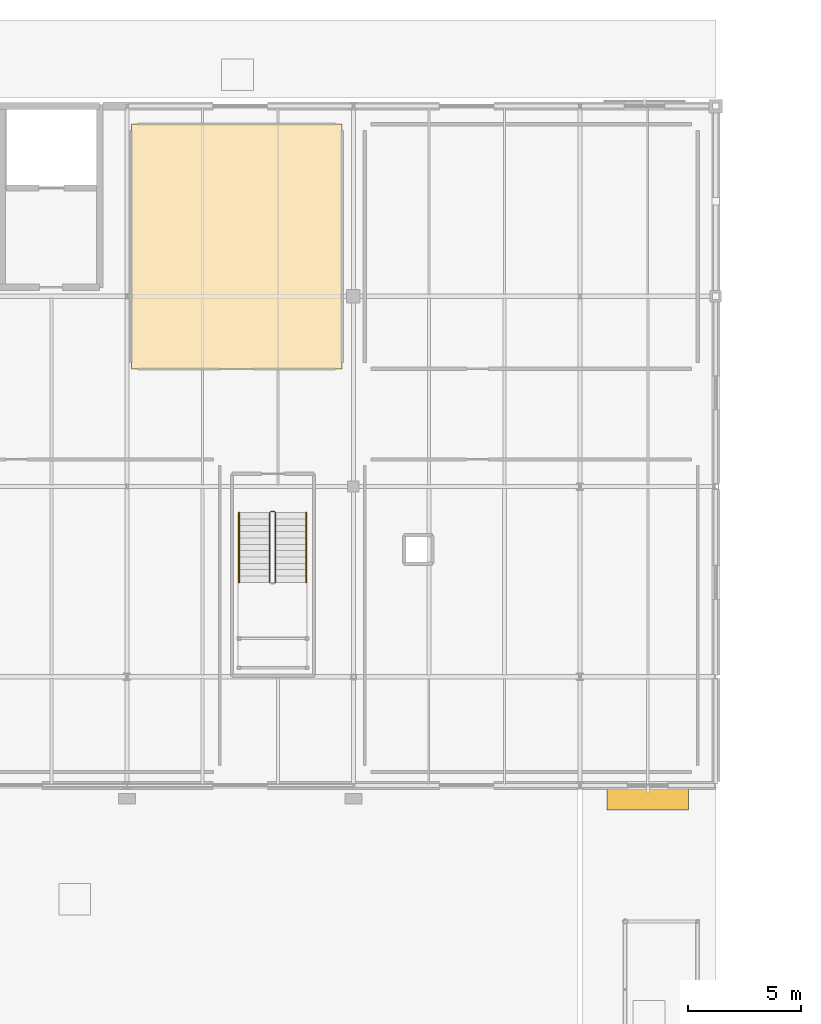
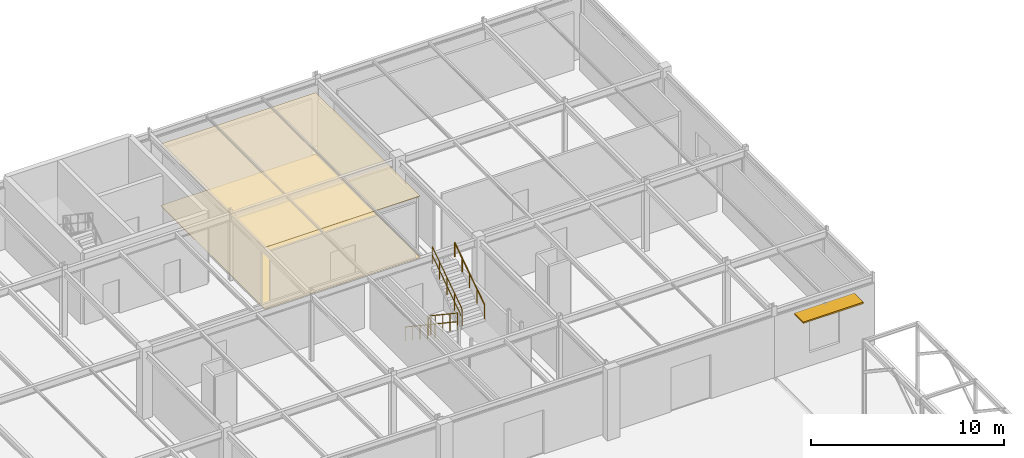
# One storey, part 117 of 119: 5 railings, 2 coverings, 1 shading device.
"""IFC4 building model written with IfcOpenShell, lengths in metres."""

from ifc_helpers import new_model, si_unit, derived_unit, direction, frame, origin, origin_2d_with_axis, place, context, subcontext, project, spatial, polyline, rectangle, circle, outline, extrude, material, layer, layer_set, type_object, element, save


model = new_model("IFC4")

# Units and contexts
model_context = context("Model", 3, precision=1e-05, world=origin(), true_north=direction((0.0, 1.0)))
body_context = subcontext(model_context, "Body", "Model", "MODEL_VIEW")
ifc_project = project(units=[si_unit("LENGTHUNIT", "METRE"), si_unit("AREAUNIT", "SQUARE_METRE"), si_unit("VOLUMEUNIT", "CUBIC_METRE"), si_unit("PLANEANGLEUNIT", "RADIAN"), si_unit("MASSUNIT", "GRAM", prefix="KILO"), derived_unit("THERMALTRANSMITTANCEUNIT", [(si_unit("POWERUNIT", "WATT"), 1), (si_unit("LENGTHUNIT", "METRE"), -2), (si_unit("THERMODYNAMICTEMPERATUREUNIT", "KELVIN"), -1)])], contexts=[model_context])

# Site, building, storey
site_placement = place(None, origin())
site = spatial("IfcSite", under=ifc_project, at=site_placement, CompositionType="ELEMENT")
building_placement = place(site_placement, origin())
building = spatial("IfcBuilding", under=site, at=building_placement, Name="Cinnabar Yard Market Hall", CompositionType="ELEMENT")
storey_placement = place(building_placement, origin())
storey = spatial("IfcBuildingStorey", under=building, at=storey_placement, Name="L00", CompositionType="ELEMENT", Elevation=0.0)

# Coverings
ifc_material_1 = material(Name="Perforated acoustic spotted-gum timber slats", Category="wood")
ifc_layer_1 = layer(ifc_material_1, 0.0400390625)
ifc_layer_set_1 = layer_set([ifc_layer_1], Name="Perforated acoustic spotted-gum timber slats")
covering_type_1 = type_object("IfcCoveringType", Name="COV-CLG1", PredefinedType="CEILING", material=ifc_layer_set_1)
covering_1_placement = place(storey_placement, frame((0.0, 0.0, 3.8798828125)))
element("IfcCovering", 1, at=covering_1_placement, inside=storey, type_object=covering_type_1, Name="Ceiling Market Heritage Community Room 02", PredefinedType="CEILING", context=body_context, shape_type="SweptSolid", body=[
    extrude(outline(polyline([(136.199951171875, 126.39990234375), (145.5, 126.39990234375), (145.5, 137.199951171875), (136.199951171875, 137.199951171875), (136.199951171875, 126.39990234375)])), origin(), (0.0, 0.0, 1.0), 0.03515625),
])
ifc_material_2 = material(Name="Honed Adelaide red terrazzo flooring")
ifc_layer_2 = layer(ifc_material_2, 0.030029296875)
ifc_layer_set_2 = layer_set([ifc_layer_2], Name="Honed Adelaide red terrazzo flooring")
covering_type_2 = type_object("IfcCoveringType", Name="COV-FLR1", PredefinedType="FLOORING", material=ifc_layer_set_2)
covering_2_placement = place(storey_placement, origin())
element("IfcCovering", 2, at=covering_2_placement, inside=storey, type_object=covering_type_2, Name="Flooring Market Heritage Community Room 02", PredefinedType="FLOORING", context=body_context, shape_type="SweptSolid", body=[
    extrude(outline(polyline([(136.199951171875, 126.39990234375), (145.5, 126.39990234375), (145.5, 137.199951171875), (136.199951171875, 137.199951171875), (136.199951171875, 126.39990234375)])), origin(), (0.0, 0.0, 1.0), 0.02490234375),
])

# Railings
ifc_material_3 = material(Name="Laminated glass and bronze handrail", Category="glass")
ifc_layer_3 = layer(ifc_material_3, 0.070068359375)
ifc_layer_set_3 = layer_set([ifc_layer_3], Name="Laminated glass and bronze handrail")
railing_type_1 = type_object("IfcRailingType", Name="RL-G01", PredefinedType="BALUSTRADE", material=ifc_layer_set_3)
railing_1_placement = place(storey_placement, frame((142.300048828125, 120.050048828125, 0.1875)))
element("IfcRailing", 3, at=railing_1_placement, inside=storey, type_object=railing_type_1, Name="L00 ST-F6 stair guard 1", PredefinedType="BALUSTRADE", context=body_context, shape_type="SweptSolid", body=[
    extrude(circle(Radius=0.02392578125, at=origin_2d_with_axis()), frame((0.0, 0.0, 1.09619140625), z_axis=(0.0, -0.830913701846, 0.55640131208), x_axis=(1.0, 0.0, 0.0)), (0.0, 0.0, 1.0), 3.706787109375),
    extrude(circle(Radius=0.02392578125, at=origin_2d_with_axis()), frame((0.0, 0.0, 0.550048828125), z_axis=(0.0, -0.830913701846, 0.55640131208), x_axis=(1.0, 0.0, 0.0)), (0.0, 0.0, 1.0), 3.706787109375),
    extrude(circle(Radius=0.02099609375, at=origin_2d_with_axis()), origin(), (0.0, 0.0, 1.0), 1.072021484375),
    extrude(circle(Radius=0.02099609375, at=origin_2d_with_axis()), frame((0.0, -0.77001953125, 0.515625)), (0.0, 0.0, 1.0), 1.072021484375),
    extrude(circle(Radius=0.02099609375, at=origin_2d_with_axis()), frame((0.0, -1.5400390625, 1.03125)), (0.0, 0.0, 1.0), 1.072021484375),
    extrude(circle(Radius=0.02099609375, at=origin_2d_with_axis()), frame((0.0, -2.31005859375, 1.546875)), (0.0, 0.0, 1.0), 1.072021484375),
    extrude(circle(Radius=0.02099609375, at=origin_2d_with_axis()), frame((0.0, -3.080078125, 2.0625)), (0.0, 0.0, 1.0), 1.072021484375),
])
railing_2_placement = place(storey_placement, frame((142.56005859375, 116.969970703125, 2.4375)))
element("IfcRailing", 4, at=railing_2_placement, inside=storey, type_object=railing_type_1, Name="L00 ST-F6 stair guard 3", PredefinedType="BALUSTRADE", context=body_context, shape_type="SweptSolid", body=[
    extrude(circle(Radius=0.02392578125, at=origin_2d_with_axis()), frame((0.0, 0.0, 1.09619140625), z_axis=(0.0, 0.830913701846, 0.55640131208), x_axis=(-1.0, 0.0, 0.0)), (0.0, 0.0, 1.0), 3.706787109375),
    extrude(circle(Radius=0.02392578125, at=origin_2d_with_axis()), frame((0.0, 0.0, 0.550048828125), z_axis=(0.0, 0.830913701846, 0.55640131208), x_axis=(-1.0, 0.0, 0.0)), (0.0, 0.0, 1.0), 3.706787109375),
    extrude(circle(Radius=0.02099609375, at=origin_2d_with_axis()), origin(), (0.0, 0.0, 1.0), 1.072021484375),
    extrude(circle(Radius=0.02099609375, at=origin_2d_with_axis()), frame((0.0, 0.77001953125, 0.515625)), (0.0, 0.0, 1.0), 1.072021484375),
    extrude(circle(Radius=0.02099609375, at=origin_2d_with_axis()), frame((0.0, 1.5400390625, 1.03125)), (0.0, 0.0, 1.0), 1.072021484375),
    extrude(circle(Radius=0.02099609375, at=origin_2d_with_axis()), frame((0.0, 2.31005859375, 1.546875)), (0.0, 0.0, 1.0), 1.072021484375),
    extrude(circle(Radius=0.02099609375, at=origin_2d_with_axis()), frame((0.0, 3.080078125, 2.0625)), (0.0, 0.0, 1.0), 1.072021484375),
])
railing_3_placement = place(storey_placement, frame((142.35009765625, 120.10009765625, 0.0)))
element("IfcRailing", 5, at=railing_3_placement, inside=storey, type_object=railing_type_1, Name="L00 ST-F6 stair guard 4", PredefinedType="BALUSTRADE", context=body_context, shape_type="SweptSolid", body=[
    extrude(circle(Radius=0.02392578125, at=origin_2d_with_axis()), frame((0.0, 0.0, 1.09619140625), z_axis=(1.0, 0.0, 0.0), x_axis=(0.0, 1.0, 0.0)), (0.0, 0.0, 1.0), 0.159912109375),
    extrude(circle(Radius=0.02392578125, at=origin_2d_with_axis()), frame((0.0, 0.0, 0.550048828125), z_axis=(1.0, 0.0, 0.0), x_axis=(0.0, 1.0, 0.0)), (0.0, 0.0, 1.0), 0.159912109375),
    extrude(circle(Radius=0.02099609375, at=origin_2d_with_axis()), origin(), (0.0, 0.0, 1.0), 1.072021484375),
    extrude(circle(Radius=0.02099609375, at=origin_2d_with_axis()), frame((0.159912109375, 0.0, 0.0)), (0.0, 0.0, 1.0), 1.072021484375),
])
ifc_material_4 = material(Name="Brushed stainless steel handrail", Category="steel")
ifc_layer_4 = layer(ifc_material_4, 0.050048828125)
ifc_layer_set_4 = layer_set([ifc_layer_4], Name="Brushed stainless steel handrail")
railing_type_2 = type_object("IfcRailingType", Name="RL-HR1", PredefinedType="HANDRAIL", material=ifc_layer_set_4)
railing_4_placement = place(storey_placement, frame((140.949951171875, 120.050048828125, 0.1875)))
element("IfcRailing", 6, at=railing_4_placement, inside=storey, type_object=railing_type_2, Name="L00 ST-F6 stair handrail 1", PredefinedType="HANDRAIL", context=body_context, shape_type="SweptSolid", body=[
    extrude(circle(Radius=0.02392578125, at=origin_2d_with_axis()), frame((0.0, 0.0, 0.8759765625), z_axis=(0.0, -0.830913701846, 0.55640131208), x_axis=(1.0, 0.0, 0.0)), (0.0, 0.0, 1.0), 3.706787109375),
    extrude(circle(Radius=0.02099609375, at=origin_2d_with_axis()), origin(), (0.0, 0.0, 1.0), 0.851806640625),
    extrude(circle(Radius=0.02099609375, at=origin_2d_with_axis()), frame((0.0, -0.77001953125, 0.515625)), (0.0, 0.0, 1.0), 0.851806640625),
    extrude(circle(Radius=0.02099609375, at=origin_2d_with_axis()), frame((0.0, -1.5400390625, 1.03125)), (0.0, 0.0, 1.0), 0.851806640625),
    extrude(circle(Radius=0.02099609375, at=origin_2d_with_axis()), frame((0.0, -2.31005859375, 1.546875)), (0.0, 0.0, 1.0), 0.851806640625),
    extrude(circle(Radius=0.02099609375, at=origin_2d_with_axis()), frame((0.0, -3.080078125, 2.0625)), (0.0, 0.0, 1.0), 0.851806640625),
])
railing_5_placement = place(storey_placement, frame((143.909912109375, 116.969970703125, 2.4375)))
element("IfcRailing", 7, at=railing_5_placement, inside=storey, type_object=railing_type_2, Name="L00 ST-F6 stair handrail 2", PredefinedType="HANDRAIL", context=body_context, shape_type="SweptSolid", body=[
    extrude(circle(Radius=0.02392578125, at=origin_2d_with_axis()), frame((0.0, 0.0, 0.8759765625), z_axis=(0.0, 0.830913701846, 0.55640131208), x_axis=(-1.0, 0.0, 0.0)), (0.0, 0.0, 1.0), 3.706787109375),
    extrude(circle(Radius=0.02099609375, at=origin_2d_with_axis()), origin(), (0.0, 0.0, 1.0), 0.851806640625),
    extrude(circle(Radius=0.02099609375, at=origin_2d_with_axis()), frame((0.0, 0.77001953125, 0.515625)), (0.0, 0.0, 1.0), 0.851806640625),
    extrude(circle(Radius=0.02099609375, at=origin_2d_with_axis()), frame((0.0, 1.5400390625, 1.03125)), (0.0, 0.0, 1.0), 0.851806640625),
    extrude(circle(Radius=0.02099609375, at=origin_2d_with_axis()), frame((0.0, 2.31005859375, 1.546875)), (0.0, 0.0, 1.0), 0.851806640625),
    extrude(circle(Radius=0.02099609375, at=origin_2d_with_axis()), frame((0.0, 3.080078125, 2.0625)), (0.0, 0.0, 1.0), 0.851806640625),
])

# Shading device
ifc_material_5 = material(Name="Projecting sandstone-clad steel chhajja hood", Category="masonry")
shading_device_type = type_object("IfcShadingDeviceType", Name="SHD-CHJ1", PredefinedType="SHUTTER", material=ifc_material_5)
shading_device_placement = place(storey_placement, frame((159.00048828125, 107.39990234375, 3.55517578125), z_axis=(0.0, 0.0, 1.0), x_axis=(1.0, 0.0, 0.0)))
element("IfcShadingDevice", 8, at=shading_device_placement, inside=storey, type_object=shading_device_type, Name="Wing South Chhajja Hood L00 Bay 10", PredefinedType="SHUTTER", context=body_context, shape_type="SweptSolid", body=[
    extrude(rectangle(XDim=3.60009765625, YDim=0.949951171875, at=origin_2d_with_axis()), origin(), (0.0, 0.0, 1.0), 0.090087890625),
])

save(model, "model.ifc")
